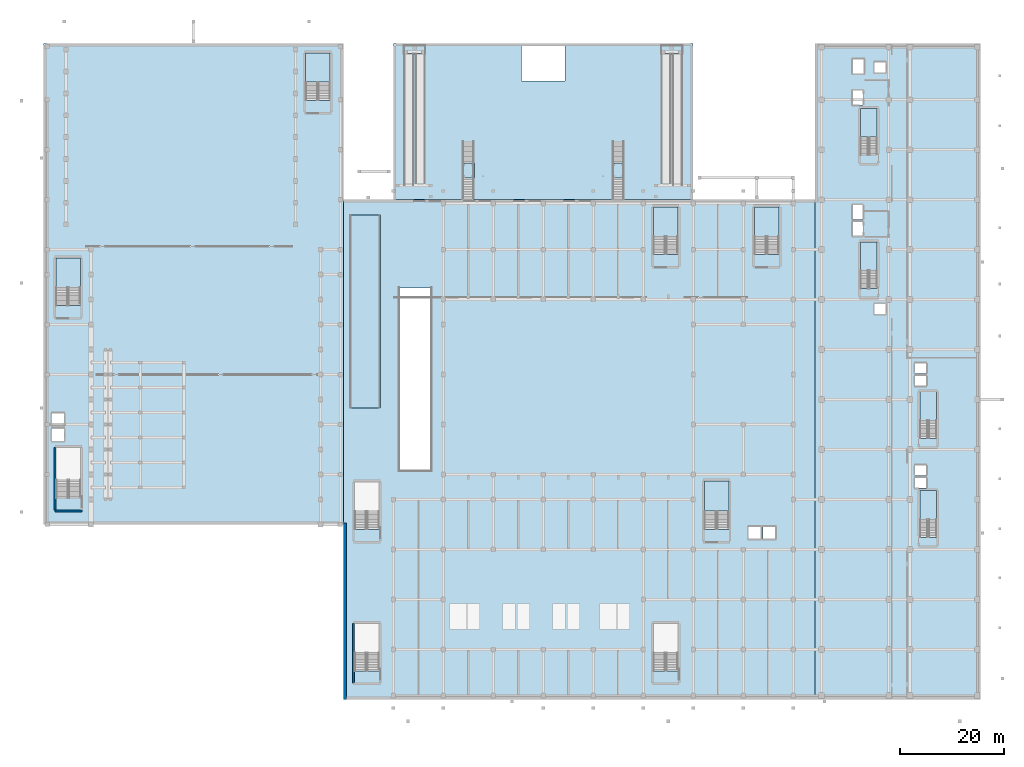
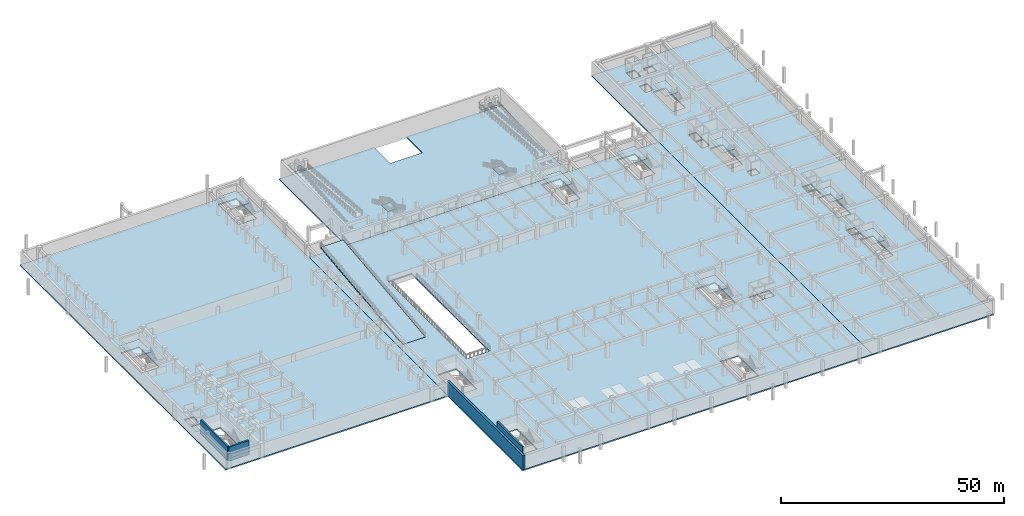
# One storey, part 9 of 39: 18 slabs, 4 walls, 13 elements without a shape of their own.
"""IFC4 building model written with IfcOpenShell, lengths in metres."""

from ifc_helpers import new_model, si_unit, direction, frame, frame_2d, origin, place, context, subcontext, project, spatial, polyline, rectangle, outline, extrude, material, layer, layer_set, type_object, element, aggregate, save


model = new_model("IFC4")

# Units and contexts
model_context = context("Model", 3, precision=1e-05, world=origin(), true_north=direction((0.0, 1.0)))
body_context = subcontext(model_context, "Body", "Model", "MODEL_VIEW")
ifc_project = project(units=[si_unit("LENGTHUNIT", "METRE"), si_unit("AREAUNIT", "SQUARE_METRE"), si_unit("VOLUMEUNIT", "CUBIC_METRE"), si_unit("PLANEANGLEUNIT", "RADIAN"), si_unit("MASSUNIT", "GRAM", prefix="KILO")], contexts=[model_context])

# Site, building, storey
site_placement = place(None, origin())
site = spatial("IfcSite", under=ifc_project, at=site_placement, CompositionType="ELEMENT")
building_placement = place(site_placement, origin())
building = spatial("IfcBuilding", under=site, at=building_placement, Name="Nakhvara Creek Congress Hotel", CompositionType="ELEMENT")
storey_placement = place(building_placement, frame((0.0, 0.0, -4.199951171875)))
storey = spatial("IfcBuildingStorey", under=building, at=storey_placement, Name="B1", CompositionType="ELEMENT", Elevation=-4.199951171875)

# Slabs
ifc_material_1 = material(Name="Concrete C40/50", Category="concrete")
ifc_layer_1 = layer(ifc_material_1, 0.320068359375)
ifc_layer_set_1 = layer_set([ifc_layer_1], Name="Concrete C40/50")
slab_type_1 = type_object("IfcSlabType", Name="SL-EXT-320", PredefinedType="FLOOR", material=ifc_layer_set_1)
slab_1_placement = place(storey_placement, frame((0.0, 0.0, -0.320068359375)))
element("IfcSlab", 1, at=slab_1_placement, inside=storey, type_object=slab_type_1, Name="Outdoor Terrace Slab SLB-B1-METRO-PLAZA", PredefinedType="FLOOR", context=body_context, shape_type="SweptSolid", body=[
    extrude(outline(polyline([(67.199951171875, 96.0), (124.800048828125, 96.0), (124.800048828125, 126.0), (100.199951171875, 126.0), (100.199951171875, 118.800048828125), (91.800048828125, 118.800048828125), (91.800048828125, 126.0), (67.199951171875, 126.0), (67.199951171875, 96.0)])), origin(), (0.0, 0.0, 1.0), 0.320068359375),
])
ifc_layer_2 = layer(ifc_material_1, 0.300048828125)
ifc_layer_set_2 = layer_set([ifc_layer_2], Name="Concrete C40/50")
slab_type_2 = type_object("IfcSlabType", Name="SL-FLR-300", PredefinedType="FLOOR", material=ifc_layer_set_2)
slab_2_placement = place(storey_placement, frame((58.89990234375, 56.0, 0.0), z_axis=(0.0, 0.0, 1.0), x_axis=(0.0, 1.0, 0.0)))
element("IfcSlab", 2, at=slab_2_placement, inside=storey, type_object=slab_type_2, Name="Vehicle Ramp Structural Slab VR2 (Concrete C40/50)", PredefinedType="FLOOR", context=body_context, shape_type="SweptSolid", body=[
    extrude(outline(polyline([(0.0, 0.0), (37.0, 4.199951171875), (37.0, 3.89794921875), (0.0, -0.302001953125), (0.0, 0.0)])), frame((0.0, 0.0, 0.0), z_axis=(0.0, -1.0, 0.0), x_axis=(1.0, 0.0, 0.0)), (0.0, 0.0, 1.0), 5.800048828125),
])
ifc_layer_3 = layer(ifc_material_1, 0.340087890625)
ifc_layer_set_3 = layer_set([ifc_layer_3], Name="Concrete C40/50")
slab_type_3 = type_object("IfcSlabType", Name="SL-FLR-340", PredefinedType="FLOOR", material=ifc_layer_set_3)
slab_3_placement = place(storey_placement, frame((0.0, 0.0, -0.340087890625)))
element("IfcSlab", 3, at=slab_3_placement, inside=storey, type_object=slab_type_3, Name="Structural Slab SLB-B1-V1V2", PredefinedType="FLOOR", context=body_context, shape_type="SweptSolid", body=[
    extrude(outline(polyline([(0.0, 126.0), (57.60009765625, 126.0), (57.60009765625, 33.60009765625), (0.0, 33.60009765625), (0.0, 126.0)]), holes=[polyline([(2.449951171875, 48.39990234375), (2.449951171875, 38.679931640625), (7.159912109375, 38.679931640625), (7.159912109375, 48.39990234375), (2.449951171875, 48.39990234375)]), polyline([(4.0, 52.0), (1.60009765625, 52.0), (1.60009765625, 49.60009765625), (4.0, 49.60009765625), (4.0, 52.0)]), polyline([(4.0, 55.0), (1.60009765625, 55.0), (1.60009765625, 52.60009765625), (4.0, 52.60009765625), (4.0, 55.0)]), polyline([(7.080078125, 84.800048828125), (2.3701171875, 84.800048828125), (2.3701171875, 75.679931640625), (7.080078125, 75.679931640625), (7.080078125, 84.800048828125)]), polyline([(55.080078125, 124.199951171875), (50.3701171875, 124.199951171875), (50.3701171875, 115.080078125), (55.080078125, 115.080078125), (55.080078125, 124.199951171875)])]), origin(), (0.0, 0.0, 1.0), 0.340087890625),
])
slab_4_placement = place(storey_placement, frame((0.0, 0.0, -0.340087890625)))
element("IfcSlab", 4, at=slab_4_placement, inside=storey, type_object=slab_type_3, Name="Structural Slab SLB-B1-V3V4", PredefinedType="FLOOR", context=body_context, shape_type="SweptSolid", body=[
    extrude(outline(polyline([(57.60009765625, 96.0), (148.199951171875, 96.0), (148.199951171875, 0.0), (57.60009765625, 0.0), (57.60009765625, 96.0)]), holes=[polyline([(64.47998046875, 14.60009765625), (59.77001953125, 14.60009765625), (59.77001953125, 5.47998046875), (64.47998046875, 5.47998046875), (64.47998046875, 14.60009765625)]), polyline([(121.8798828125, 14.60009765625), (117.169921875, 14.60009765625), (117.169921875, 5.47998046875), (121.8798828125, 5.47998046875), (121.8798828125, 14.60009765625)]), polyline([(137.800048828125, 30.800048828125), (137.800048828125, 33.199951171875), (135.39990234375, 33.199951171875), (135.39990234375, 30.800048828125), (137.800048828125, 30.800048828125)]), polyline([(138.199951171875, 30.800048828125), (140.60009765625, 30.800048828125), (140.60009765625, 33.199951171875), (138.199951171875, 33.199951171875), (138.199951171875, 30.800048828125)]), polyline([(64.47998046875, 32.679931640625), (64.47998046875, 41.800048828125), (59.77001953125, 41.800048828125), (59.77001953125, 32.679931640625), (64.47998046875, 32.679931640625)]), polyline([(131.659912109375, 42.0), (126.949951171875, 42.0), (126.949951171875, 32.679931640625), (131.659912109375, 32.679931640625), (131.659912109375, 42.0)]), polyline([(64.705078125, 55.9951171875), (64.705078125, 58.659912109375), (58.89501953125, 58.659912109375), (58.89501953125, 55.9951171875), (64.705078125, 55.9951171875)]), polyline([(74.39990234375, 44.0), (74.39990234375, 79.0), (68.39990234375, 79.0), (68.39990234375, 44.0), (74.39990234375, 44.0)]), polyline([(121.8798828125, 85.47998046875), (121.8798828125, 94.60009765625), (117.169921875, 94.60009765625), (117.169921875, 85.47998046875), (121.8798828125, 85.47998046875)]), polyline([(141.280029296875, 85.47998046875), (141.280029296875, 94.60009765625), (136.570068359375, 94.60009765625), (136.570068359375, 85.47998046875), (141.280029296875, 85.47998046875)])]), origin(), (0.0, 0.0, 1.0), 0.340087890625),
])
slab_5_placement = place(storey_placement, frame((0.0, 0.0, -0.340087890625)))
element("IfcSlab", 5, at=slab_5_placement, inside=storey, type_object=slab_type_3, Name="Structural Slab SLB-B1-V5", PredefinedType="FLOOR", context=body_context, shape_type="SweptSolid", body=[
    extrude(outline(polyline([(148.199951171875, 126.0), (179.75, 126.0), (179.75, 0.0), (148.199951171875, 0.0), (148.199951171875, 126.0)]), holes=[polyline([(161.800048828125, 74.0), (161.800048828125, 76.0), (159.60009765625, 76.0), (159.60009765625, 74.0), (161.800048828125, 74.0)]), polyline([(160.14990234375, 78.93994140625), (160.14990234375, 87.89990234375), (156.919921875, 87.89990234375), (156.919921875, 78.93994140625), (160.14990234375, 78.93994140625)]), polyline([(155.39990234375, 89.0), (157.39990234375, 89.0), (157.39990234375, 91.800048828125), (155.39990234375, 91.800048828125), (155.39990234375, 89.0)]), polyline([(155.39990234375, 92.199951171875), (157.39990234375, 92.199951171875), (157.39990234375, 95.0), (155.39990234375, 95.0), (155.39990234375, 92.199951171875)]), polyline([(160.14990234375, 104.5400390625), (160.14990234375, 113.5), (156.919921875, 113.5), (156.919921875, 104.5400390625), (160.14990234375, 104.5400390625)]), polyline([(155.39990234375, 114.199951171875), (157.39990234375, 114.199951171875), (157.39990234375, 117.0), (155.39990234375, 117.0), (155.39990234375, 114.199951171875)]), polyline([(155.39990234375, 120.199951171875), (157.60009765625, 120.199951171875), (157.60009765625, 123.0), (155.39990234375, 123.0), (155.39990234375, 120.199951171875)]), polyline([(171.550048828125, 40.10009765625), (168.320068359375, 40.10009765625), (168.320068359375, 31.139892578125), (171.550048828125, 31.139892578125), (171.550048828125, 40.10009765625)]), polyline([(167.39990234375, 40.60009765625), (169.60009765625, 40.60009765625), (169.60009765625, 42.60009765625), (167.39990234375, 42.60009765625), (167.39990234375, 40.60009765625)]), polyline([(167.39990234375, 43.0), (169.60009765625, 43.0), (169.60009765625, 45.0), (167.39990234375, 45.0), (167.39990234375, 43.0)]), polyline([(171.550048828125, 50.139892578125), (171.550048828125, 59.10009765625), (168.320068359375, 59.10009765625), (168.320068359375, 50.139892578125), (171.550048828125, 50.139892578125)]), polyline([(167.39990234375, 60.199951171875), (169.60009765625, 60.199951171875), (169.60009765625, 62.199951171875), (167.39990234375, 62.199951171875), (167.39990234375, 60.199951171875)]), polyline([(167.39990234375, 62.60009765625), (169.60009765625, 62.60009765625), (169.60009765625, 64.60009765625), (167.39990234375, 64.60009765625), (167.39990234375, 62.60009765625)]), polyline([(159.60009765625, 120.39990234375), (161.800048828125, 120.39990234375), (161.800048828125, 122.39990234375), (159.60009765625, 122.39990234375), (159.60009765625, 120.39990234375)])]), origin(), (0.0, 0.0, 1.0), 0.340087890625),
])

# Stair, slab
stair_type_1 = type_object("IfcStairType", Name="ST-CORE-160", PredefinedType="HALF_TURN_STAIR", material=ifc_material_1)
stair_1_placement = place(storey_placement, origin())
stair_1 = element("IfcStair", 6, at=stair_1_placement, inside=storey, type_object=stair_type_1, Name="B1 Protected Exit Stair ST01", PredefinedType="HALF_TURN_STAIR")
ifc_layer_4 = layer(ifc_material_1, 0.199951171875)
ifc_layer_set_4 = layer_set([ifc_layer_4], Name="Concrete C40/50")
slab_type_4 = type_object("IfcSlabType", Name="SL-LAND-200", PredefinedType="LANDING", material=ifc_layer_set_4)
slab_6_placement = place(storey_placement, frame((0.0, 0.0, 1.89990234375)))
slab_6 = element("IfcSlab", 7, at=slab_6_placement, type_object=slab_type_4, Name="ST01 landing 1", PredefinedType="LANDING", context=body_context, shape_type="SweptSolid", body=[
    extrude(outline(polyline([(160.14990234375, 82.405029296875), (160.14990234375, 87.89990234375), (156.919921875, 87.89990234375), (156.919921875, 82.405029296875), (160.14990234375, 82.405029296875)])), origin(), (0.0, 0.0, 1.0), 0.199951171875),
])
aggregate(stair_1, [slab_6])

stair_2_placement = place(storey_placement, origin())
stair_2 = element("IfcStair", 8, at=stair_2_placement, inside=storey, type_object=stair_type_1, Name="B1 Protected Exit Stair ST02", PredefinedType="HALF_TURN_STAIR")
slab_7_placement = place(storey_placement, frame((0.0, 0.0, 1.89990234375)))
slab_7 = element("IfcSlab", 9, at=slab_7_placement, type_object=slab_type_4, Name="ST02 landing 1", PredefinedType="LANDING", context=body_context, shape_type="SweptSolid", body=[
    extrude(outline(polyline([(160.14990234375, 108.0048828125), (160.14990234375, 113.5), (156.919921875, 113.5), (156.919921875, 108.0048828125), (160.14990234375, 108.0048828125)])), origin(), (0.0, 0.0, 1.0), 0.199951171875),
])
aggregate(stair_2, [slab_7])

stair_3_placement = place(storey_placement, origin())
stair_3 = element("IfcStair", 10, at=stair_3_placement, inside=storey, type_object=stair_type_1, Name="B1 Protected Exit Stair ST03", PredefinedType="HALF_TURN_STAIR")
slab_8_placement = place(storey_placement, frame((0.0, 0.0, 1.89990234375)))
slab_8 = element("IfcSlab", 11, at=slab_8_placement, type_object=slab_type_4, Name="ST03 landing 1", PredefinedType="LANDING", context=body_context, shape_type="SweptSolid", body=[
    extrude(outline(polyline([(171.550048828125, 34.60498046875), (171.550048828125, 40.10009765625), (168.320068359375, 40.10009765625), (168.320068359375, 34.60498046875), (171.550048828125, 34.60498046875)])), origin(), (0.0, 0.0, 1.0), 0.199951171875),
])
aggregate(stair_3, [slab_8])

stair_4_placement = place(storey_placement, origin())
stair_4 = element("IfcStair", 12, at=stair_4_placement, inside=storey, type_object=stair_type_1, Name="B1 Protected Exit Stair ST04", PredefinedType="HALF_TURN_STAIR")
slab_9_placement = place(storey_placement, frame((0.0, 0.0, 1.89990234375)))
slab_9 = element("IfcSlab", 13, at=slab_9_placement, type_object=slab_type_4, Name="ST04 landing 1", PredefinedType="LANDING", context=body_context, shape_type="SweptSolid", body=[
    extrude(outline(polyline([(171.550048828125, 53.60498046875), (171.550048828125, 59.10009765625), (168.320068359375, 59.10009765625), (168.320068359375, 53.60498046875), (171.550048828125, 53.60498046875)])), origin(), (0.0, 0.0, 1.0), 0.199951171875),
])
aggregate(stair_4, [slab_9])

stair_type_2 = type_object("IfcStairType", Name="ST-CORE-230", PredefinedType="HALF_TURN_STAIR", material=ifc_material_1)
stair_5_placement = place(storey_placement, origin())
stair_5 = element("IfcStair", 14, at=stair_5_placement, inside=storey, type_object=stair_type_2, Name="B1 Protected Exit Stair ST06", PredefinedType="HALF_TURN_STAIR")
slab_10_placement = place(storey_placement, frame((0.0, 0.0, 1.89990234375)))
slab_10 = element("IfcSlab", 15, at=slab_10_placement, type_object=slab_type_4, Name="ST06 landing 1", PredefinedType="LANDING", context=body_context, shape_type="SweptSolid", body=[
    extrude(outline(polyline([(131.659912109375, 36.14501953125), (131.659912109375, 42.0), (126.949951171875, 42.0), (126.949951171875, 36.14501953125), (131.659912109375, 36.14501953125)])), origin(), (0.0, 0.0, 1.0), 0.199951171875),
])
aggregate(stair_5, [slab_10])

stair_6_placement = place(storey_placement, origin())
stair_6 = element("IfcStair", 16, at=stair_6_placement, inside=storey, type_object=stair_type_2, Name="B1 Protected Exit Stair ST07", PredefinedType="HALF_TURN_STAIR")
slab_11_placement = place(storey_placement, frame((0.0, 0.0, 1.89990234375)))
slab_11 = element("IfcSlab", 17, at=slab_11_placement, type_object=slab_type_4, Name="ST07 landing 1", PredefinedType="LANDING", context=body_context, shape_type="SweptSolid", body=[
    extrude(outline(polyline([(7.080078125, 79.14501953125), (7.080078125, 84.800048828125), (2.3701171875, 84.800048828125), (2.3701171875, 79.14501953125), (7.080078125, 79.14501953125)])), origin(), (0.0, 0.0, 1.0), 0.199951171875),
])
aggregate(stair_6, [slab_11])

stair_7_placement = place(storey_placement, origin())
stair_7 = element("IfcStair", 18, at=stair_7_placement, inside=storey, type_object=stair_type_2, Name="B1 Protected Exit Stair ST08", PredefinedType="HALF_TURN_STAIR")
slab_12_placement = place(storey_placement, frame((0.0, 0.0, 1.89990234375)))
slab_12 = element("IfcSlab", 19, at=slab_12_placement, type_object=slab_type_4, Name="ST08 landing 1", PredefinedType="LANDING", context=body_context, shape_type="SweptSolid", body=[
    extrude(outline(polyline([(55.080078125, 118.544921875), (55.080078125, 124.199951171875), (50.3701171875, 124.199951171875), (50.3701171875, 118.544921875), (55.080078125, 118.544921875)])), origin(), (0.0, 0.0, 1.0), 0.199951171875),
])
aggregate(stair_7, [slab_12])

stair_8_placement = place(storey_placement, origin())
stair_8 = element("IfcStair", 20, at=stair_8_placement, inside=storey, type_object=stair_type_2, Name="B1 Protected Exit Stair ST09", PredefinedType="HALF_TURN_STAIR")
slab_13_placement = place(storey_placement, frame((0.0, 0.0, 1.89990234375)))
slab_13 = element("IfcSlab", 21, at=slab_13_placement, type_object=slab_type_4, Name="ST09 landing 1", PredefinedType="LANDING", context=body_context, shape_type="SweptSolid", body=[
    extrude(outline(polyline([(121.8798828125, 88.945068359375), (121.8798828125, 94.60009765625), (117.169921875, 94.60009765625), (117.169921875, 88.945068359375), (121.8798828125, 88.945068359375)])), origin(), (0.0, 0.0, 1.0), 0.199951171875),
])
aggregate(stair_8, [slab_13])

stair_9_placement = place(storey_placement, origin())
stair_9 = element("IfcStair", 22, at=stair_9_placement, inside=storey, type_object=stair_type_2, Name="B1 Protected Exit Stair ST10", PredefinedType="HALF_TURN_STAIR")
slab_14_placement = place(storey_placement, frame((0.0, 0.0, 1.89990234375)))
slab_14 = element("IfcSlab", 23, at=slab_14_placement, type_object=slab_type_4, Name="ST10 landing 1", PredefinedType="LANDING", context=body_context, shape_type="SweptSolid", body=[
    extrude(outline(polyline([(141.280029296875, 88.945068359375), (141.280029296875, 94.60009765625), (136.570068359375, 94.60009765625), (136.570068359375, 88.945068359375), (141.280029296875, 88.945068359375)])), origin(), (0.0, 0.0, 1.0), 0.199951171875),
])
aggregate(stair_9, [slab_14])

stair_type_3 = type_object("IfcStairType", Name="ST-PLAZA-240", PredefinedType="STRAIGHT_RUN_STAIR", material=ifc_material_1)
stair_10_placement = place(storey_placement, origin())
stair_10 = element("IfcStair", 24, at=stair_10_placement, inside=storey, type_object=stair_type_3, Name="Metro Forecourt Monumental Stair ST21", PredefinedType="STRAIGHT_RUN_STAIR")
ifc_layer_5 = layer(ifc_material_1, 0.2099609375)
ifc_layer_set_5 = layer_set([ifc_layer_5], Name="Concrete C40/50")
slab_type_5 = type_object("IfcSlabType", Name="SL-LAND-210", PredefinedType="LANDING", material=ifc_layer_set_5)
slab_15_placement = place(storey_placement, frame((0.0, 0.0, 1.889892578125)))
slab_15 = element("IfcSlab", 25, at=slab_15_placement, type_object=slab_type_5, Name="ST21 landing 1", PredefinedType="LANDING", context=body_context, shape_type="SweptSolid", body=[
    extrude(outline(polyline([(80.449951171875, 100.159912109375), (82.75, 100.159912109375), (82.75, 103.0), (80.449951171875, 103.0), (80.449951171875, 100.159912109375)])), origin(), (0.0, 0.0, 1.0), 0.2099609375),
])
aggregate(stair_10, [slab_15])

stair_11_placement = place(storey_placement, origin())
stair_11 = element("IfcStair", 26, at=stair_11_placement, inside=storey, type_object=stair_type_3, Name="Metro Forecourt Monumental Stair ST22", PredefinedType="STRAIGHT_RUN_STAIR")
slab_16_placement = place(storey_placement, frame((0.0, 0.0, 1.889892578125)))
slab_16 = element("IfcSlab", 27, at=slab_16_placement, type_object=slab_type_5, Name="ST22 landing 1", PredefinedType="LANDING", context=body_context, shape_type="SweptSolid", body=[
    extrude(outline(polyline([(109.25, 100.159912109375), (111.550048828125, 100.159912109375), (111.550048828125, 103.0), (109.25, 103.0), (109.25, 100.159912109375)])), origin(), (0.0, 0.0, 1.0), 0.2099609375),
])
aggregate(stair_11, [slab_16])

# Ramp, slab
ramp_type = type_object("IfcRampType", Name="RMP-PED-180", PredefinedType="STRAIGHT_RUN_RAMP", material=ifc_material_1)
ramp_1_placement = place(storey_placement, origin())
ramp_1 = element("IfcRamp", 28, at=ramp_1_placement, inside=storey, type_object=ramp_type, Name="Accessible Pedestrian Ramp PR01", PredefinedType="STRAIGHT_RUN_RAMP")
slab_17_placement = place(storey_placement, frame((0.0, 0.0, 1.8798828125)))
slab_17 = element("IfcSlab", 29, at=slab_17_placement, type_object=slab_type_5, Name="Accessible Ramp Landing PR01", PredefinedType="LANDING", context=body_context, shape_type="SweptSolid", body=[
    extrude(outline(polyline([(69.199951171875, 124.0), (73.39990234375, 124.0), (73.39990234375, 125.64990234375), (69.199951171875, 125.64990234375), (69.199951171875, 124.0)])), origin(), (0.0, 0.0, 1.0), 0.219970703125),
])
aggregate(ramp_1, [slab_17])

ramp_2_placement = place(storey_placement, origin())
ramp_2 = element("IfcRamp", 30, at=ramp_2_placement, inside=storey, type_object=ramp_type, Name="Accessible Pedestrian Ramp PR02", PredefinedType="STRAIGHT_RUN_RAMP")
slab_18_placement = place(storey_placement, frame((0.0, 0.0, 1.8798828125)))
slab_18 = element("IfcSlab", 31, at=slab_18_placement, type_object=slab_type_5, Name="Accessible Ramp Landing PR02", PredefinedType="LANDING", context=body_context, shape_type="SweptSolid", body=[
    extrude(outline(polyline([(118.60009765625, 124.0), (122.800048828125, 124.0), (122.800048828125, 125.64990234375), (118.60009765625, 125.64990234375), (118.60009765625, 124.0)])), origin(), (0.0, 0.0, 1.0), 0.219970703125),
])
aggregate(ramp_2, [slab_18])

# Walls
ifc_material_2 = material(Name="Concrete C50/60", Category="concrete")
ifc_layer_6 = layer(ifc_material_2, 0.449951171875)
ifc_layer_set_6 = layer_set([ifc_layer_6], Name="Concrete C50/60")
wall_type_1 = type_object("IfcWallType", Name="W-CORE-450", PredefinedType="SHEAR", material=ifc_layer_set_6)
wall_1_placement = place(storey_placement, frame((2.22998046875, 36.179931640625, 0.0), z_axis=(0.0, 0.0, 1.0), x_axis=(1.0, 0.0, 0.0)))
element("IfcWall", 32, at=wall_1_placement, inside=storey, type_object=wall_type_1, Name="Core Shear Wall WS02-CWALL-B1-0721", PredefinedType="SHEAR", context=body_context, shape_type="SweptSolid", body=[
    extrude(rectangle(XDim=5.14990234375, YDim=0.449951171875, at=frame_2d((2.574951171875, 0.0))), origin(), (0.0, 0.0, 1.0), 3.780029296875),
])
wall_2_placement = place(storey_placement, frame((2.22998046875, 36.39990234375, 0.0), z_axis=(0.0, 0.0, 1.0), x_axis=(0.0, 1.0, 0.0)))
element("IfcWall", 33, at=wall_2_placement, inside=storey, type_object=wall_type_1, Name="Core Shear Wall WS02-CWALL-B1-0723", PredefinedType="SHEAR", context=body_context, shape_type="SweptSolid", body=[
    extrude(rectangle(XDim=12.0, YDim=0.449951171875, at=frame_2d((6.0, 0.0))), origin(), (0.0, 0.0, 1.0), 3.780029296875),
])
wall_3_placement = place(storey_placement, frame((59.550048828125, 3.199951171875, 0.0), z_axis=(0.0, 0.0, 1.0), x_axis=(0.0, 1.0, 0.0)))
element("IfcWall", 34, at=wall_3_placement, inside=storey, type_object=wall_type_1, Name="Core Shear Wall WS02-CWALL-B1-0941", PredefinedType="SHEAR", context=body_context, shape_type="SweptSolid", body=[
    extrude(rectangle(XDim=11.400146484375, YDim=0.449951171875, at=frame_2d((5.7001953125, 0.0))), origin(), (0.0, 0.0, 1.0), 3.780029296875),
])
ifc_layer_7 = layer(ifc_material_1, 0.60009765625)
ifc_layer_set_7 = layer_set([ifc_layer_7], Name="Concrete C40/50")
wall_type_2 = type_object("IfcWallType", Name="W-RET-600", PredefinedType="USERDEFINED", material=ifc_layer_set_7)
wall_4_placement = place(storey_placement, frame((57.89990234375, 0.0, 0.0), z_axis=(0.0, 0.0, 1.0), x_axis=(0.0, 1.0, 0.0)))
element("IfcWall", 35, at=wall_4_placement, inside=storey, type_object=wall_type_2, Name="Exterior Wall WR01-EW-B1-0019", ObjectType="RETAININGWALL", PredefinedType="USERDEFINED", context=body_context, shape_type="SweptSolid", body=[
    extrude(rectangle(XDim=33.89990234375, YDim=0.60009765625, at=frame_2d((16.949951171875, 0.0))), origin(), (0.0, 0.0, 1.0), 3.780029296875),
])

save(model, "model.ifc")
